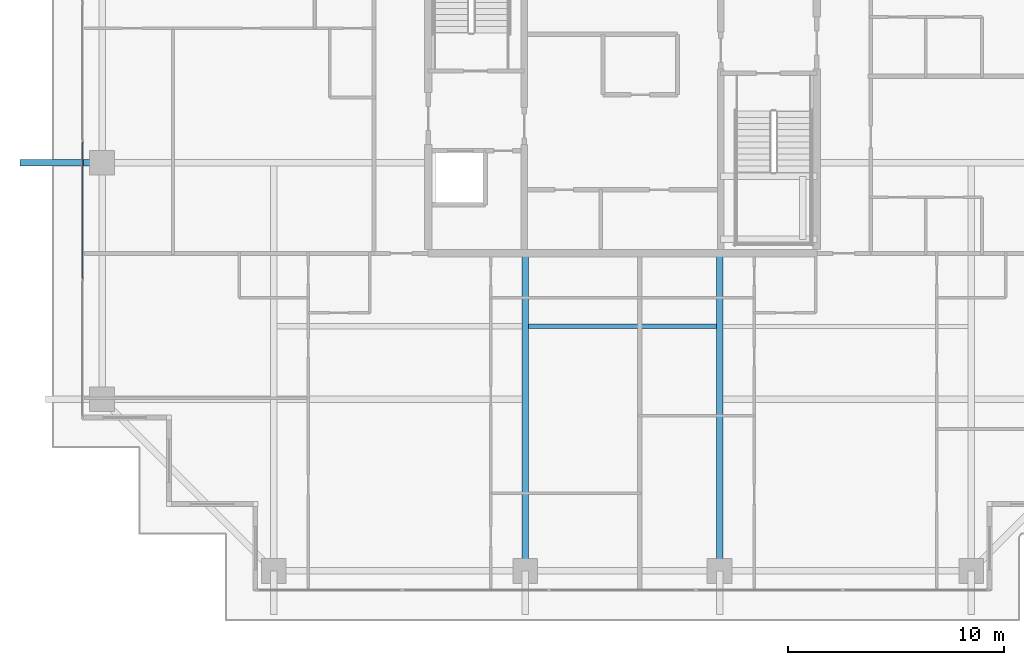
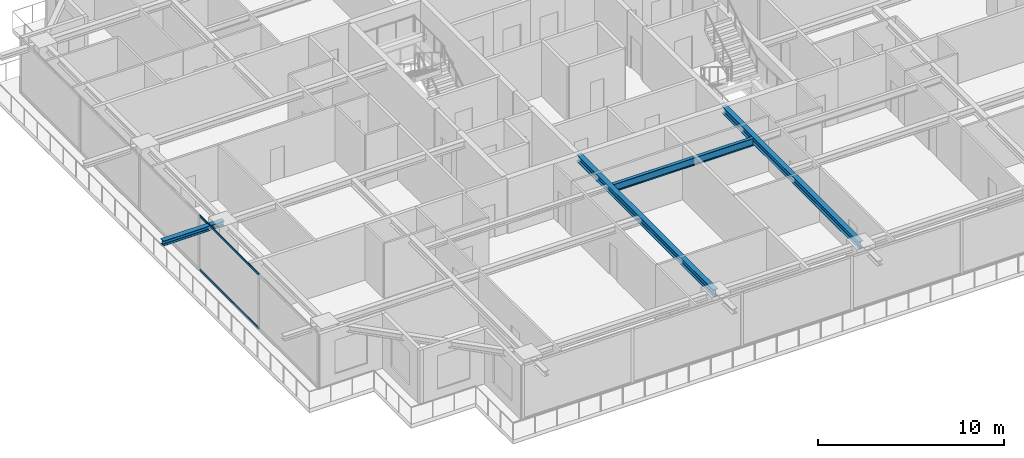
# One storey, part 6 of 37: 4 beams, 2 members, 1 element without a shape of its own.
"""IFC4 building model written with IfcOpenShell, lengths in metres."""

from ifc_helpers import new_model, si_unit, direction, frame, origin, origin_2d, place, context, subcontext, project, spatial, hollow_rectangle, i_section, extrude, source, transform, mapped, material, layer, layer_set, material_profile, profile_set, type_object, element, aggregate, save


model = new_model("IFC4")

# Units and contexts
model_context = context("Model", 3, precision=1e-05, world=origin(), true_north=direction((0.0, 1.0)))
body_context = subcontext(model_context, "Body", "Model", "MODEL_VIEW")
ifc_project = project(units=[si_unit("LENGTHUNIT", "METRE"), si_unit("AREAUNIT", "SQUARE_METRE"), si_unit("VOLUMEUNIT", "CUBIC_METRE"), si_unit("PLANEANGLEUNIT", "RADIAN"), si_unit("MASSUNIT", "GRAM", prefix="KILO")], contexts=[model_context])

# Site, building, storey
site_placement = place(None, origin())
site = spatial("IfcSite", under=ifc_project, at=site_placement, CompositionType="ELEMENT")
building_placement = place(site_placement, origin())
building = spatial("IfcBuilding", under=site, at=building_placement, Name="Serunith Strait Residences", CompositionType="ELEMENT")
storey_placement = place(building_placement, frame((0.0, 0.0, 279.75)))
storey = spatial("IfcBuildingStorey", under=building, at=storey_placement, Name="L70", CompositionType="ELEMENT", Elevation=279.75)

# Beams
ifc_material_1 = material(Name="Steel S355J2", Category="steel")
ifc_material_profile_1 = material_profile(ifc_material_1, i_section(OverallWidth=0.199951171875, OverallDepth=0.5, WebThickness=0.01025390625, FlangeThickness=0.01611328125, FilletRadius=0.02099609375, at=origin_2d()), Name="IPE 500")
ifc_profile_set_1 = profile_set([ifc_material_profile_1], Name="Steel S355J2")
beam_type_1 = type_object("IfcBeamType", Name="BM-IPE500", PredefinedType="JOIST", material=ifc_profile_set_1)
shared_shape_1 = source(origin(), body_context, "Body", "SweptSolid", [
    extrude(i_section(OverallWidth=0.199951171875, OverallDepth=0.5, WebThickness=0.01025390625, FlangeThickness=0.01611328125, FilletRadius=0.02099609375, at=origin_2d()), origin(), (0.0, 0.0, 1.0), 8.699951171875),
])
beam_1_placement = place(storey_placement, frame((28.050048828125, 13.425048828125, 3.3369140625), z_axis=(1.0, 0.0, 0.0), x_axis=(0.0, 1.0, 0.0)))
element("IfcBeam", 1, at=beam_1_placement, inside=storey, type_object=beam_type_1, Name="L70 Composite Floor Joist 02", PredefinedType="JOIST", context=body_context, shape_type="MappedRepresentation", body=[
    mapped(shared_shape_1, transform((0.0, 0.0, 0.0), scale=1.0)),
])
ifc_material_profile_2 = material_profile(ifc_material_1, i_section(OverallWidth=0.300048828125, OverallDepth=0.449951171875, WebThickness=0.013916015625, FlangeThickness=0.02587890625, FilletRadius=0.027099609375, at=origin_2d()), Name="HEB 450")
ifc_profile_set_2 = profile_set([ifc_material_profile_2], Name="Steel S355J2")
beam_type_2 = type_object("IfcBeamType", Name="BM-HEB450", PredefinedType="BEAM", material=ifc_profile_set_2)
shared_shape_2 = source(origin(), body_context, "Body", "SweptSolid", [
    extrude(i_section(OverallWidth=0.300048828125, OverallDepth=0.449951171875, WebThickness=0.013916015625, FlangeThickness=0.02587890625, FilletRadius=0.027099609375, at=origin_2d()), origin(), (0.0, 0.0, 1.0), 14.699951171875),
])
for number, where, z_axis, x_axis, name in (
    (2, (27.89990234375, 16.800048828125, 3.362060546875), (0.0, -1.0, 0.0), (1.0, 0.0, 0.0), "L70 Primary Floor Girder TC-S2"),
    (3, (36.89990234375, 16.800048828125, 3.362060546875), (0.0, -1.0, 0.0), (1.0, 0.0, 0.0), "L70 Primary Floor Girder TC-S3"),
):
    element("IfcBeam", number, at=place(storey_placement, frame(where, z_axis=z_axis, x_axis=x_axis)), inside=storey, type_object=beam_type_2, Name=name, PredefinedType="BEAM", context=body_context, shape_type="MappedRepresentation", body=[
        mapped(shared_shape_2, transform((0.0, 0.0, 0.0), scale=1.0)),
    ])
ifc_material_profile_3 = material_profile(ifc_material_1, i_section(OverallWidth=0.300048828125, OverallDepth=0.320068359375, WebThickness=0.011474609375, FlangeThickness=0.0205078125, FilletRadius=0.027099609375, at=origin_2d()), Name="HEB 320")
ifc_profile_set_3 = profile_set([ifc_material_profile_3], Name="Steel S355J2")
beam_type_3 = type_object("IfcBeamType", Name="BM-HEB320", PredefinedType="BEAM", material=ifc_profile_set_3)
shared_shape_3 = source(origin(), body_context, "Body", "SweptSolid", [
    extrude(i_section(OverallWidth=0.300048828125, OverallDepth=0.320068359375, WebThickness=0.011474609375, FlangeThickness=0.0205078125, FilletRadius=0.027099609375, at=origin_2d()), origin(), (0.0, 0.0, 1.0), 3.800048828125),
])
beam_2_placement = place(storey_placement, frame((8.300048828125, 21.0, 3.39697265625), z_axis=(-1.0, 0.0, 0.0), x_axis=(0.0, -1.0, 0.0)))
element("IfcBeam", 4, at=beam_2_placement, inside=storey, type_object=beam_type_3, Name="L71 Cantilevered Balcony Rib TC-W2", PredefinedType="BEAM", context=body_context, shape_type="MappedRepresentation", body=[
    mapped(shared_shape_3, transform((0.0, 0.0, 0.0), scale=1.0)),
])

# Curtain wall, members
ifc_material_2 = material(Name="Pale-Champagne Anodised Aluminium", Category="aluminium")
ifc_layer = layer(ifc_material_2, 0.199951171875, Name="Pale-Champagne Anodised Aluminium")
ifc_layer_set = layer_set([ifc_layer], Name="Pale-Champagne Anodised Aluminium")
curtain_wall_type = type_object("IfcCurtainWallType", Name="CW-SYS4", PredefinedType="NOTDEFINED", material=ifc_layer_set)
curtain_wall_placement = place(storey_placement, origin())
curtain_wall = element("IfcCurtainWall", 5, at=curtain_wall_placement, inside=storey, type_object=curtain_wall_type, Name="L70 W Unitised Fritted Curtain Wall", PredefinedType="NOTDEFINED")
ifc_material_profile_4 = material_profile(ifc_material_2, hollow_rectangle(XDim=0.06005859375, YDim=0.139892578125, WallThickness=0.00341796875, InnerFilletRadius=0.00537109375, OuterFilletRadius=0.0087890625, at=origin_2d()), Name="ALU 140x60x3.5")
ifc_profile_set_4 = profile_set([ifc_material_profile_4], Name="Pale-Champagne Anodised Aluminium")
member_type = type_object("IfcMemberType", Name="CW-SYS4-TRAN", PredefinedType="USERDEFINED", material=ifc_profile_set_4)
shared_shape_4 = source(origin(), body_context, "Body", "SweptSolid", [
    extrude(hollow_rectangle(XDim=0.06005859375, YDim=0.139892578125, WallThickness=0.00341796875, InnerFilletRadius=0.00537109375, OuterFilletRadius=0.0087890625, at=origin_2d()), origin(), (0.0, 0.0, 1.0), 6.3349609375),
])
member_1_placement = place(storey_placement, frame((7.39990234375, 21.967529296875, 0.030029296875), z_axis=(0.0, -1.0, 0.0), x_axis=(1.0, 0.0, 0.0)))
member_1 = element("IfcMember", 6, at=member_1_placement, type_object=member_type, Name="CW-4 transom 4.1", ObjectType="TRANSOM", PredefinedType="USERDEFINED", context=body_context, shape_type="MappedRepresentation", body=[
    mapped(shared_shape_4, transform((0.0, 0.0, 0.0), scale=1.0)),
])
member_2_placement = place(storey_placement, frame((7.39990234375, 21.967529296875, 3.544921875), z_axis=(0.0, -1.0, 0.0), x_axis=(1.0, 0.0, 0.0)))
member_2 = element("IfcMember", 7, at=member_2_placement, type_object=member_type, Name="CW-4 transom 4.2", ObjectType="TRANSOM", PredefinedType="USERDEFINED", context=body_context, shape_type="MappedRepresentation", body=[
    mapped(shared_shape_4, transform((0.0, 0.0, 0.0), scale=1.0)),
])
aggregate(curtain_wall, [member_1, member_2])

save(model, "model.ifc")
